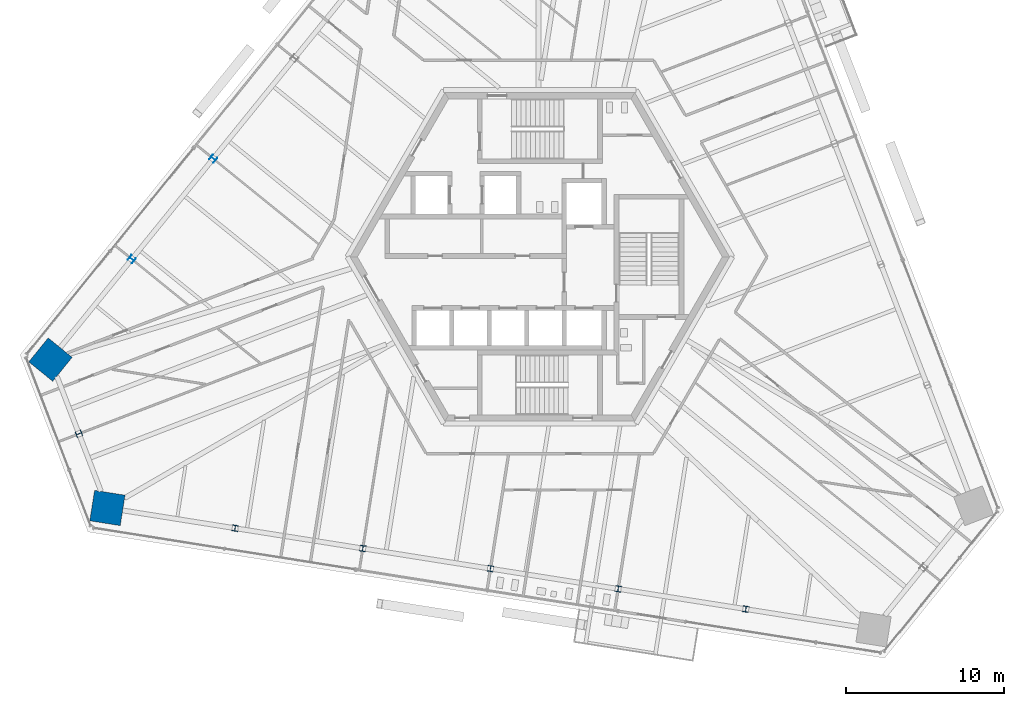
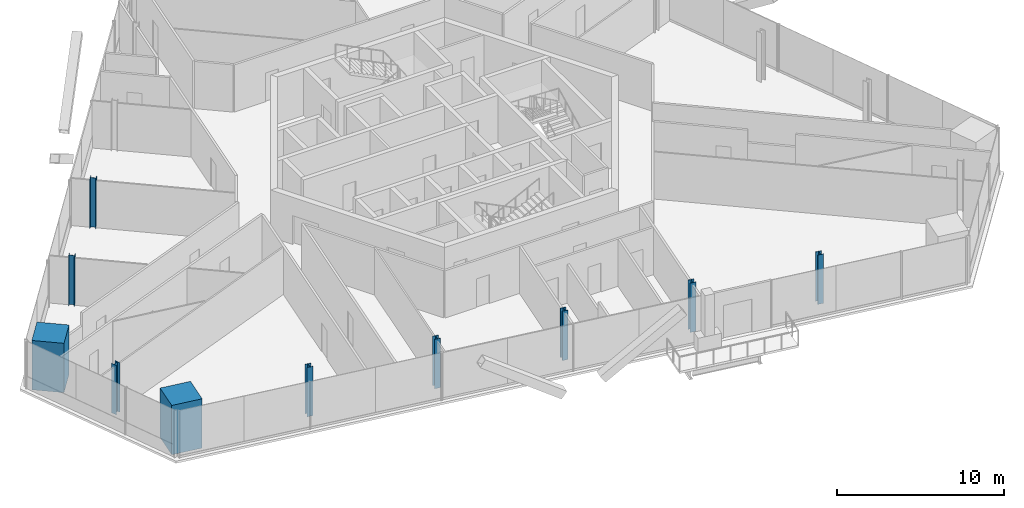
# One storey, part 1 of 18: 10 columns.
"""IFC4 building model written with IfcOpenShell, lengths in metres."""

from ifc_helpers import new_model, si_unit, direction, frame, origin, origin_2d, place, context, subcontext, project, spatial, rectangle, i_section, extrude, source, transform, mapped, material, material_profile, profile_set, type_object, element, save


model = new_model("IFC4")

# Units and contexts
model_context = context("Model", 3, precision=1e-05, world=origin(), true_north=direction((0.0, 1.0)))
body_context = subcontext(model_context, "Body", "Model", "MODEL_VIEW")
ifc_project = project(units=[si_unit("LENGTHUNIT", "METRE"), si_unit("AREAUNIT", "SQUARE_METRE"), si_unit("VOLUMEUNIT", "CUBIC_METRE"), si_unit("PLANEANGLEUNIT", "RADIAN"), si_unit("MASSUNIT", "GRAM", prefix="KILO")], contexts=[model_context])

# Site, building, storey
site_placement = place(None, origin())
site = spatial("IfcSite", under=ifc_project, at=site_placement, CompositionType="ELEMENT")
building_placement = place(site_placement, origin())
building = spatial("IfcBuilding", under=site, at=building_placement, Name="Triune Harvest Tower", CompositionType="ELEMENT")
storey_placement = place(building_placement, frame((0.0, 0.0, 156.89990234375)))
storey = spatial("IfcBuildingStorey", under=building, at=storey_placement, Name="L40", CompositionType="ELEMENT", Elevation=156.89990234375)

# Columns
ifc_material_1 = material(Name="Concrete 70 MPa", Category="concrete")
ifc_material_profile_1 = material_profile(ifc_material_1, rectangle(XDim=1.949951171875, YDim=1.949951171875, at=origin_2d()), Name="Composite 1950x1950")
ifc_profile_set_1 = profile_set([ifc_material_profile_1], Name="Concrete 70 MPa")
column_type_1 = type_object("IfcColumnType", Name="MC-4 Mega column Composite 1950x1950", PredefinedType="COLUMN", material=ifc_profile_set_1)
shared_shape_1 = source(origin(), body_context, "Body", "SweptSolid", [
    extrude(rectangle(XDim=1.949951171875, YDim=1.949951171875, at=origin_2d()), origin(), (0.0, 0.0, 1.0), 3.60009765625),
])
for number, where, z_axis, x_axis, name in (
    (1, (-30.947509765625, -6.4970703125, 0.0), (0.0, 0.0, 1.0), (-0.629321747424, -0.777144863084, 0.0), "col/L40/M14"),
    (2, (-27.345703125, -15.879638671875, 0.0), (0.0, 0.0, 1.0), (0.987688340595, -0.15643446504, 0.0), "col/L40/M16"),
):
    element("IfcColumn", number, at=place(storey_placement, frame(where, z_axis=z_axis, x_axis=x_axis)), inside=storey, type_object=column_type_1, Name=name, PredefinedType="COLUMN", context=body_context, shape_type="MappedRepresentation", body=[
        mapped(shared_shape_1, transform((0.0, 0.0, 0.0), scale=1.0)),
    ])
ifc_material_2 = material(Name="Steel ASTM A992 Gr 50", Category="steel")
ifc_material_profile_2 = material_profile(ifc_material_2, i_section(OverallWidth=0.373291015625, OverallDepth=0.373291015625, WebThickness=0.016357421875, FlangeThickness=0.026123046875, at=origin_2d()), Name="W14x132")
ifc_profile_set_2 = profile_set([ifc_material_profile_2], Name="Steel ASTM A992 Gr 50")
column_type_2 = type_object("IfcColumnType", Name="PC-4 Perimeter column W14x132", PredefinedType="COLUMN", material=ifc_profile_set_2)
shared_shape_2 = source(origin(), body_context, "Body", "SweptSolid", [
    extrude(i_section(OverallWidth=0.373291015625, OverallDepth=0.373291015625, WebThickness=0.016357421875, FlangeThickness=0.026123046875, at=origin_2d()), origin(), (0.0, 0.0, 1.0), 3.60009765625),
])
for number, where, z_axis, x_axis, name in (
    (3, (-20.657958984375, 6.209228515625, 0.0), (0.0, 0.0, 1.0), (-0.629321747424, -0.777144863084, 0.0), "col/L40/P12"),
    (4, (-25.802734375, -0.143798828125, 0.0), (0.0, 0.0, 1.0), (-0.629321747424, -0.777144863084, 0.0), "col/L40/P13"),
    (5, (-29.146484375, -11.188232421875, 0.0), (0.0, 0.0, 1.0), (0.35836632014, -0.933581051966, 0.0), "col/L40/P15"),
    (6, (-19.271484375, -17.158447265625, 0.0), (0.0, 0.0, 1.0), (0.987688340595, -0.15643446504, 0.0), "col/L40/P17"),
    (7, (-11.197021484375, -18.437255859375, 0.0), (0.0, 0.0, 1.0), (0.987688340595, -0.15643446504, 0.0), "col/L40/P18"),
    (8, (-3.122802734375, -19.716064453125, 0.0), (0.0, 0.0, 1.0), (0.987688340595, -0.15643446504, 0.0), "col/L40/P19"),
    (9, (4.95166015625, -20.9951171875, 0.0), (0.0, 0.0, 1.0), (0.987688340595, -0.15643446504, 0.0), "col/L40/P20"),
    (10, (13.02587890625, -22.27392578125, 0.0), (0.0, 0.0, 1.0), (0.987688340595, -0.15643446504, 0.0), "col/L40/P21"),
):
    element("IfcColumn", number, at=place(storey_placement, frame(where, z_axis=z_axis, x_axis=x_axis)), inside=storey, type_object=column_type_2, Name=name, PredefinedType="COLUMN", context=body_context, shape_type="MappedRepresentation", body=[
        mapped(shared_shape_2, transform((0.0, 0.0, 0.0), scale=1.0)),
    ])

save(model, "model.ifc")
